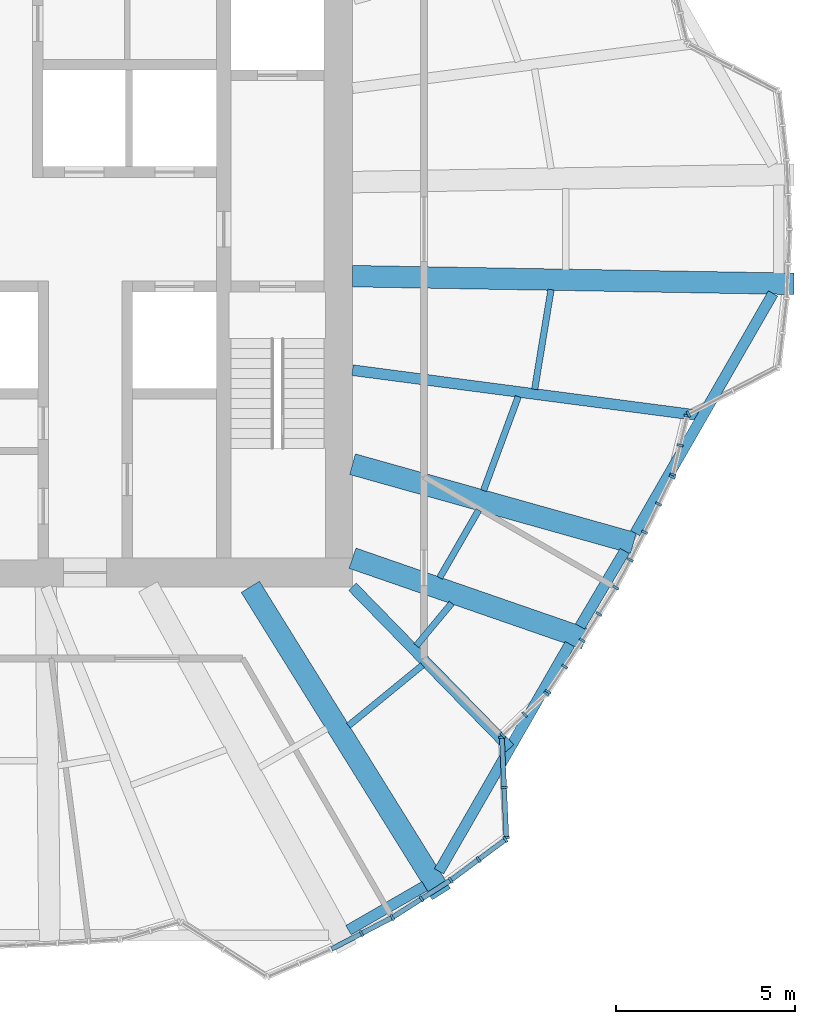
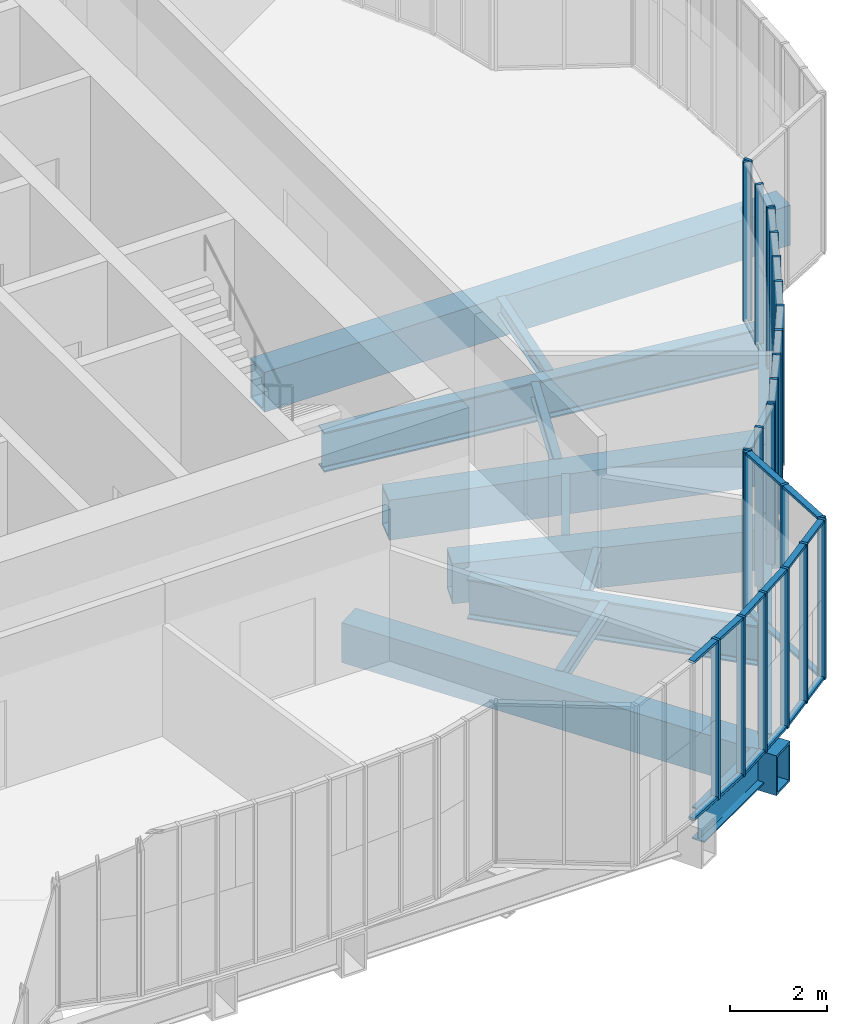
# One storey, part 4 of 24: 41 members, 15 beams, 11 elements without a shape of their own.
"""IFC4 building model written with IfcOpenShell, lengths in metres."""

from ifc_helpers import new_model, si_unit, direction, frame, origin, origin_2d, place, context, subcontext, project, spatial, rectangle, hollow_rectangle, i_section, extrude, material, material_profile, profile_set, type_object, element, aggregate, save


model = new_model("IFC4")

# Units and contexts
model_context = context("Model", 3, precision=1e-05, world=origin(), true_north=direction((0.0, 1.0)))
body_context = subcontext(model_context, "Body", "Model", "MODEL_VIEW")
ifc_project = project(units=[si_unit("LENGTHUNIT", "METRE"), si_unit("AREAUNIT", "SQUARE_METRE"), si_unit("VOLUMEUNIT", "CUBIC_METRE"), si_unit("PLANEANGLEUNIT", "RADIAN"), si_unit("MASSUNIT", "GRAM", prefix="KILO")], contexts=[model_context])

# Site, building, storey
site_placement = place(None, origin())
site = spatial("IfcSite", under=ifc_project, at=site_placement, CompositionType="ELEMENT")
building_placement = place(site_placement, origin())
building = spatial("IfcBuilding", under=site, at=building_placement, Name="Golbaran Civic Tower", CompositionType="ELEMENT")
storey_placement = place(building_placement, frame((0.0, 0.0, 25.0)))
storey = spatial("IfcBuildingStorey", under=building, at=storey_placement, Name="L05", CompositionType="ELEMENT", Elevation=25.0)

# Beams
ifc_material_1 = material(Name="Steel S355", Category="steel")
ifc_material_profile_1 = material_profile(ifc_material_1, i_section(OverallWidth=0.300048828125, OverallDepth=0.800048828125, WebThickness=0.017578125, FlangeThickness=0.032958984375, FilletRadius=0.030029296875, at=origin_2d()), Name="HEB 800")
ifc_profile_set_1 = profile_set([ifc_material_profile_1], Name="Steel S355")
beam_type_1 = type_object("IfcBeamType", Name="EDGE BEAM HEB 800", PredefinedType="BEAM", material=ifc_profile_set_1)
beam_1_placement = place(storey_placement, frame((9.886962890625, -19.598388671875, -0.60009765625), z_axis=(0.866183934036, 0.499725316967, 0.0), x_axis=(-0.499725316967, 0.866183934036, 0.0)))
element("IfcBeam", 1, at=beam_1_placement, inside=storey, type_object=beam_type_1, Name="Edge beam 296.17 L05", PredefinedType="BEAM", context=body_context, shape_type="SweptSolid", body=[
    extrude(i_section(OverallWidth=0.300048828125, OverallDepth=0.800048828125, WebThickness=0.017578125, FlangeThickness=0.032958984375, FilletRadius=0.030029296875, at=origin_2d()), origin(), (0.0, 0.0, 1.0), 2.46044921875),
])
beam_2_placement = place(storey_placement, frame((12.419189453125, -17.95361328125, -0.60009765625), z_axis=(0.498794630906, 0.866720206398, 0.0), x_axis=(-0.866720206398, 0.498794630906, 0.0)))
element("IfcBeam", 2, at=beam_2_placement, inside=storey, type_object=beam_type_1, Name="Edge beam 303.83 L05", PredefinedType="BEAM", context=body_context, shape_type="SweptSolid", body=[
    extrude(i_section(OverallWidth=0.300048828125, OverallDepth=0.800048828125, WebThickness=0.017578125, FlangeThickness=0.032958984375, FilletRadius=0.030029296875, at=origin_2d()), origin(), (0.0, 0.0, 1.0), 7.32958984375),
])
beam_3_placement = place(storey_placement, frame((16.36279296875, -11.10791015625, -0.60009765625), z_axis=(0.509256148857, 0.86061499804, 0.0), x_axis=(-0.86061499804, 0.509256148857, 0.0)))
element("IfcBeam", 3, at=beam_3_placement, inside=storey, type_object=beam_type_1, Name="Edge beam 325.74 L05", PredefinedType="BEAM", context=body_context, shape_type="SweptSolid", body=[
    extrude(i_section(OverallWidth=0.300048828125, OverallDepth=0.800048828125, WebThickness=0.017578125, FlangeThickness=0.032958984375, FilletRadius=0.030029296875, at=origin_2d()), origin(), (0.0, 0.0, 1.0), 2.45068359375),
])
beam_4_placement = place(storey_placement, frame((17.90234375, -8.4990234375, -0.60009765625), z_axis=(0.498561902583, 0.866854099196, 0.0), x_axis=(-0.866854099196, 0.498561902583, 0.0)))
element("IfcBeam", 4, at=beam_4_placement, inside=storey, type_object=beam_type_1, Name="Edge beam 334.26 L05", PredefinedType="BEAM", context=body_context, shape_type="SweptSolid", body=[
    extrude(i_section(OverallWidth=0.300048828125, OverallDepth=0.800048828125, WebThickness=0.017578125, FlangeThickness=0.032958984375, FilletRadius=0.030029296875, at=origin_2d()), origin(), (0.0, 0.0, 1.0), 7.730712890625),
])
ifc_material_profile_2 = material_profile(ifc_material_1, i_section(OverallWidth=0.179931640625, OverallDepth=0.39990234375, WebThickness=0.008544921875, FlangeThickness=0.013427734375, FilletRadius=0.02099609375, at=origin_2d()), Name="IPE 400")
ifc_profile_set_2 = profile_set([ifc_material_profile_2], Name="Steel S355")
beam_type_2 = type_object("IfcBeamType", Name="FLOOR INFILL BEAM IPE 400", PredefinedType="BEAM", material=ifc_profile_set_2)
beam_5_placement = place(storey_placement, frame((9.88818359375, -13.884033203125, -0.39990234375), z_axis=(0.773798586029, 0.633431723439, 0.0), x_axis=(-0.633431723439, 0.773798586029, 0.0)))
element("IfcBeam", 5, at=beam_5_placement, inside=storey, type_object=beam_type_2, Name="Infill beam 309.31 L05", PredefinedType="BEAM", context=body_context, shape_type="SweptSolid", body=[
    extrude(i_section(OverallWidth=0.179931640625, OverallDepth=0.39990234375, WebThickness=0.008544921875, FlangeThickness=0.013427734375, FilletRadius=0.02099609375, at=origin_2d()), origin(), (0.0, 0.0, 1.0), 2.67333984375),
])
beam_6_placement = place(storey_placement, frame((11.786865234375, -11.64453125, -0.39990234375), z_axis=(0.639203926169, 0.769037281782, 0.0), x_axis=(-0.769037281782, 0.639203926169, 0.0)))
element("IfcBeam", 6, at=beam_6_placement, inside=storey, type_object=beam_type_2, Name="Infill beam 320.27 L05", PredefinedType="BEAM", context=body_context, shape_type="SweptSolid", body=[
    extrude(i_section(OverallWidth=0.179931640625, OverallDepth=0.39990234375, WebThickness=0.008544921875, FlangeThickness=0.013427734375, FilletRadius=0.02099609375, at=origin_2d()), origin(), (0.0, 0.0, 1.0), 1.543701171875),
])
beam_7_placement = place(storey_placement, frame((12.435791015625, -9.74755859375, -0.39990234375), z_axis=(0.499980071345, 0.866036909293, 0.0), x_axis=(-0.866036909293, 0.499980071345, 0.0)))
element("IfcBeam", 7, at=beam_7_placement, inside=storey, type_object=beam_type_2, Name="Infill beam 330.00 L05", PredefinedType="BEAM", context=body_context, shape_type="SweptSolid", body=[
    extrude(i_section(OverallWidth=0.179931640625, OverallDepth=0.39990234375, WebThickness=0.008544921875, FlangeThickness=0.013427734375, FilletRadius=0.02099609375, at=origin_2d()), origin(), (0.0, 0.0, 1.0), 2.1875),
])
beam_8_placement = place(storey_placement, frame((13.66357421875, -7.30908203125, -0.39990234375), z_axis=(0.346383518623, 0.938092990074, 0.0), x_axis=(-0.938092990074, 0.346383518623, 0.0)))
element("IfcBeam", 8, at=beam_8_placement, inside=storey, type_object=beam_type_2, Name="Infill beam 339.73 L05", PredefinedType="BEAM", context=body_context, shape_type="SweptSolid", body=[
    extrude(i_section(OverallWidth=0.179931640625, OverallDepth=0.39990234375, WebThickness=0.008544921875, FlangeThickness=0.013427734375, FilletRadius=0.02099609375, at=origin_2d()), origin(), (0.0, 0.0, 1.0), 2.802490234375),
])
beam_9_placement = place(storey_placement, frame((15.09375, -4.47802734375, -0.39990234375), z_axis=(0.161707417606, 0.986838746245, 0.0), x_axis=(-0.986838746245, 0.161707417606, 0.0)))
element("IfcBeam", 9, at=beam_9_placement, inside=storey, type_object=beam_type_2, Name="Infill beam 350.69 L05", PredefinedType="BEAM", context=body_context, shape_type="SweptSolid", body=[
    extrude(i_section(OverallWidth=0.179931640625, OverallDepth=0.39990234375, WebThickness=0.008544921875, FlangeThickness=0.013427734375, FilletRadius=0.02099609375, at=origin_2d()), origin(), (0.0, 0.0, 1.0), 2.82470703125),
])

# Curtain wall, members
ifc_material_2 = material(Name="Aluminium and glass", Category="aluminium")
curtain_wall_type = type_object("IfcCurtainWallType", Name="INNER SKIN CURTAIN WALL", PredefinedType="NOTDEFINED", material=ifc_material_2)
curtain_wall_1_placement = place(storey_placement, origin())
curtain_wall_1 = element("IfcCurtainWall", 10, at=curtain_wall_1_placement, inside=storey, type_object=curtain_wall_type, Name="Inner skin L05 facet 60 CW1", ObjectType="INNER SKIN", PredefinedType="USERDEFINED")
ifc_material_3 = material(Name="Aluminium", Category="aluminium")
ifc_material_profile_3 = material_profile(ifc_material_3, rectangle(XDim=0.179931640625, YDim=0.06494140625, at=origin_2d()), Name="INNER SKIN CURTAIN WALL MULLION")
ifc_profile_set_3 = profile_set([ifc_material_profile_3], Name="Aluminium")
member_type_1 = type_object("IfcMemberType", Name="INNER SKIN CURTAIN WALL MULLION", PredefinedType="MULLION", material=ifc_profile_set_3)
member_1_placement = place(storey_placement, frame((10.250732421875, -19.69140625, 0.0), z_axis=(0.0, 0.0, 1.0), x_axis=(-0.461748613514, 0.887010833033, 0.0)))
member_1 = element("IfcMember", 11, at=member_1_placement, type_object=member_type_1, Name="CW1 mullion 2", PredefinedType="MULLION", context=body_context, shape_type="SweptSolid", body=[
    extrude(rectangle(XDim=0.179931640625, YDim=0.06494140625, at=origin_2d()), origin(), (0.0, 0.0, 1.0), 4.0),
])
member_2_placement = place(storey_placement, frame((11.110595703125, -19.243896484375, 0.0), z_axis=(0.0, 0.0, 1.0), x_axis=(-0.500000000045, 0.866025403758, 0.0)))
member_2 = element("IfcMember", 12, at=member_2_placement, type_object=member_type_1, Name="CW1 mullion 3", PredefinedType="MULLION", context=body_context, shape_type="SweptSolid", body=[
    extrude(rectangle(XDim=0.179931640625, YDim=0.06494140625, at=origin_2d()), origin(), (0.0, 0.0, 1.0), 4.0),
])

curtain_wall_2_placement = place(storey_placement, origin())
curtain_wall_2 = element("IfcCurtainWall", 13, at=curtain_wall_2_placement, inside=storey, type_object=curtain_wall_type, Name="Inner skin L05 facet 61 CW1", ObjectType="INNER SKIN", PredefinedType="USERDEFINED")
member_3_placement = place(storey_placement, frame((11.927978515625, -18.72314453125, 0.0), z_axis=(0.0, 0.0, 1.0), x_axis=(-0.537299608259, 0.843391445869, 0.0)))
member_3 = element("IfcMember", 14, at=member_3_placement, type_object=member_type_1, Name="CW1 mullion 2", PredefinedType="MULLION", context=body_context, shape_type="SweptSolid", body=[
    extrude(rectangle(XDim=0.179931640625, YDim=0.06494140625, at=origin_2d()), origin(), (0.0, 0.0, 1.0), 4.0),
])
member_4_placement = place(storey_placement, frame((12.745361328125, -18.202392578125, 0.0), z_axis=(0.0, 0.0, 1.0), x_axis=(-0.567019859976, 0.82370412066, 0.0)))
member_4 = element("IfcMember", 15, at=member_4_placement, type_object=member_type_1, Name="CW1 mullion 3", PredefinedType="MULLION", context=body_context, shape_type="SweptSolid", body=[
    extrude(rectangle(XDim=0.179931640625, YDim=0.06494140625, at=origin_2d()), origin(), (0.0, 0.0, 1.0), 4.0),
])

curtain_wall_3_placement = place(storey_placement, origin())
curtain_wall_3 = element("IfcCurtainWall", 16, at=curtain_wall_3_placement, inside=storey, type_object=curtain_wall_type, Name="Inner skin L05 facet 62 CW1", ObjectType="INNER SKIN", PredefinedType="USERDEFINED")
member_5_placement = place(storey_placement, frame((13.5244140625, -17.624267578125, 0.0), z_axis=(0.0, 0.0, 1.0), x_axis=(-0.596019495177, 0.802969962931, 0.0)))
member_5 = element("IfcMember", 17, at=member_5_placement, type_object=member_type_1, Name="CW1 mullion 2", PredefinedType="MULLION", context=body_context, shape_type="SweptSolid", body=[
    extrude(rectangle(XDim=0.179931640625, YDim=0.06494140625, at=origin_2d()), origin(), (0.0, 0.0, 1.0), 4.0),
])
member_6_placement = place(storey_placement, frame((14.277099609375, -17.0654296875, 0.0), z_axis=(0.0, 0.0, 1.0), x_axis=(-0.596019495177, 0.802969962931, 0.0)))
member_6 = element("IfcMember", 18, at=member_6_placement, type_object=member_type_1, Name="CW1 mullion 3", PredefinedType="MULLION", context=body_context, shape_type="SweptSolid", body=[
    extrude(rectangle(XDim=0.179931640625, YDim=0.06494140625, at=origin_2d()), origin(), (0.0, 0.0, 1.0), 4.0),
])

curtain_wall_4_placement = place(storey_placement, origin())
curtain_wall_4 = element("IfcCurtainWall", 19, at=curtain_wall_4_placement, inside=storey, type_object=curtain_wall_type, Name="Inner skin L05 facet 63 CW1", ObjectType="INNER SKIN", PredefinedType="USERDEFINED")
member_7_placement = place(storey_placement, frame((14.3017578125, -17.013671875, 0.0), z_axis=(0.0, 0.0, 1.0), x_axis=(-0.999008307341, -0.044524171678, 0.0)))
member_7 = element("IfcMember", 20, at=member_7_placement, type_object=member_type_1, Name="CW1 mullion 1", PredefinedType="MULLION", context=body_context, shape_type="SweptSolid", body=[
    extrude(rectangle(XDim=0.179931640625, YDim=0.06494140625, at=origin_2d()), origin(), (0.0, 0.0, 1.0), 4.0),
])
member_8_placement = place(storey_placement, frame((14.2392578125, -15.610595703125, 0.0), z_axis=(0.0, 0.0, 1.0), x_axis=(-0.999008307341, -0.044524171678, 0.0)))
member_8 = element("IfcMember", 21, at=member_8_placement, type_object=member_type_1, Name="CW1 mullion 2", PredefinedType="MULLION", context=body_context, shape_type="SweptSolid", body=[
    extrude(rectangle(XDim=0.179931640625, YDim=0.06494140625, at=origin_2d()), origin(), (0.0, 0.0, 1.0), 4.0),
])
member_9_placement = place(storey_placement, frame((14.1767578125, -14.207763671875, 0.0), z_axis=(0.0, 0.0, 1.0), x_axis=(-0.999008307341, -0.044524171678, 0.0)))
member_9 = element("IfcMember", 22, at=member_9_placement, type_object=member_type_1, Name="CW1 mullion 3", PredefinedType="MULLION", context=body_context, shape_type="SweptSolid", body=[
    extrude(rectangle(XDim=0.179931640625, YDim=0.06494140625, at=origin_2d()), origin(), (0.0, 0.0, 1.0), 4.0),
])

curtain_wall_5_placement = place(storey_placement, origin())
curtain_wall_5 = element("IfcCurtainWall", 23, at=curtain_wall_5_placement, inside=storey, type_object=curtain_wall_type, Name="Inner skin L05 facet 64 CW1", ObjectType="INNER SKIN", PredefinedType="USERDEFINED")
member_10_placement = place(storey_placement, frame((14.198974609375, -14.15283203125, 0.0), z_axis=(0.0, 0.0, 1.0), x_axis=(-0.689904492493, 0.723900401463, 0.0)))
member_10 = element("IfcMember", 24, at=member_10_placement, type_object=member_type_1, Name="CW1 mullion 1", PredefinedType="MULLION", context=body_context, shape_type="SweptSolid", body=[
    extrude(rectangle(XDim=0.179931640625, YDim=0.06494140625, at=origin_2d()), origin(), (0.0, 0.0, 1.0), 4.0),
])
member_11_placement = place(storey_placement, frame((14.811767578125, -13.56884765625, 0.0), z_axis=(0.0, 0.0, 1.0), x_axis=(-0.689904492493, 0.723900401463, 0.0)))
member_11 = element("IfcMember", 25, at=member_11_placement, type_object=member_type_1, Name="CW1 mullion 2", PredefinedType="MULLION", context=body_context, shape_type="SweptSolid", body=[
    extrude(rectangle(XDim=0.179931640625, YDim=0.06494140625, at=origin_2d()), origin(), (0.0, 0.0, 1.0), 4.0),
])
member_12_placement = place(storey_placement, frame((15.424560546875, -12.98486328125, 0.0), z_axis=(0.0, 0.0, 1.0), x_axis=(-0.689904492493, 0.723900401463, 0.0)))
member_12 = element("IfcMember", 26, at=member_12_placement, type_object=member_type_1, Name="CW1 mullion 3", PredefinedType="MULLION", context=body_context, shape_type="SweptSolid", body=[
    extrude(rectangle(XDim=0.179931640625, YDim=0.06494140625, at=origin_2d()), origin(), (0.0, 0.0, 1.0), 4.0),
])
aggregate(curtain_wall_5, [member_10, member_11, member_12])

curtain_wall_6_placement = place(storey_placement, origin())
curtain_wall_6 = element("IfcCurtainWall", 27, at=curtain_wall_6_placement, inside=storey, type_object=curtain_wall_type, Name="Inner skin L05 facet 65 CW1", ObjectType="INNER SKIN", PredefinedType="USERDEFINED")
member_13_placement = place(storey_placement, frame((15.466064453125, -12.935302734375, 0.0), z_axis=(0.0, 0.0, 1.0), x_axis=(-0.832703385336, 0.553719307998, 0.0)))
member_13 = element("IfcMember", 28, at=member_13_placement, type_object=member_type_1, Name="CW1 mullion 1", PredefinedType="MULLION", context=body_context, shape_type="SweptSolid", body=[
    extrude(rectangle(XDim=0.179931640625, YDim=0.06494140625, at=origin_2d()), origin(), (0.0, 0.0, 1.0), 4.0),
])
member_14_placement = place(storey_placement, frame((15.934814453125, -12.23046875, 0.0), z_axis=(0.0, 0.0, 1.0), x_axis=(-0.832703385336, 0.553719307998, 0.0)))
member_14 = element("IfcMember", 29, at=member_14_placement, type_object=member_type_1, Name="CW1 mullion 2", PredefinedType="MULLION", context=body_context, shape_type="SweptSolid", body=[
    extrude(rectangle(XDim=0.179931640625, YDim=0.06494140625, at=origin_2d()), origin(), (0.0, 0.0, 1.0), 4.0),
])
member_15_placement = place(storey_placement, frame((16.421630859375, -11.49853515625, 0.0), z_axis=(0.0, 0.0, 1.0), x_axis=(-0.838087628164, 0.545535633592, 0.0)))
member_15 = element("IfcMember", 30, at=member_15_placement, type_object=member_type_1, Name="CW1 mullion 3", PredefinedType="MULLION", context=body_context, shape_type="SweptSolid", body=[
    extrude(rectangle(XDim=0.179931640625, YDim=0.06494140625, at=origin_2d()), origin(), (0.0, 0.0, 1.0), 4.0),
])
aggregate(curtain_wall_6, [member_13, member_14, member_15])

curtain_wall_7_placement = place(storey_placement, origin())
curtain_wall_7 = element("IfcCurtainWall", 31, at=curtain_wall_7_placement, inside=storey, type_object=curtain_wall_type, Name="Inner skin L05 facet 66 CW1", ObjectType="INNER SKIN", PredefinedType="USERDEFINED")
member_16_placement = place(storey_placement, frame((16.891357421875, -10.760986328125, 0.0), z_axis=(0.0, 0.0, 1.0), x_axis=(-0.843391445841, 0.537299608303, 0.0)))
member_16 = element("IfcMember", 32, at=member_16_placement, type_object=member_type_1, Name="CW1 mullion 2", PredefinedType="MULLION", context=body_context, shape_type="SweptSolid", body=[
    extrude(rectangle(XDim=0.179931640625, YDim=0.06494140625, at=origin_2d()), origin(), (0.0, 0.0, 1.0), 4.0),
])
member_17_placement = place(storey_placement, frame((17.361328125, -10.0234375, 0.0), z_axis=(0.0, 0.0, 1.0), x_axis=(-0.866025403837, 0.499999999909, 0.0)))
member_17 = element("IfcMember", 33, at=member_17_placement, type_object=member_type_1, Name="CW1 mullion 3", PredefinedType="MULLION", context=body_context, shape_type="SweptSolid", body=[
    extrude(rectangle(XDim=0.179931640625, YDim=0.06494140625, at=origin_2d()), origin(), (0.0, 0.0, 1.0), 4.0),
])
aggregate(curtain_wall_7, [member_16, member_17])

curtain_wall_8_placement = place(storey_placement, origin())
curtain_wall_8 = element("IfcCurtainWall", 34, at=curtain_wall_8_placement, inside=storey, type_object=curtain_wall_type, Name="Inner skin L05 facet 67 CW1", ObjectType="INNER SKIN", PredefinedType="USERDEFINED")
member_18_placement = place(storey_placement, frame((17.764892578125, -9.247802734375, 0.0), z_axis=(0.0, 0.0, 1.0), x_axis=(-0.887010833202, 0.461748613189, 0.0)))
member_18 = element("IfcMember", 35, at=member_18_placement, type_object=member_type_1, Name="CW1 mullion 2", PredefinedType="MULLION", context=body_context, shape_type="SweptSolid", body=[
    extrude(rectangle(XDim=0.179931640625, YDim=0.06494140625, at=origin_2d()), origin(), (0.0, 0.0, 1.0), 4.0),
])
member_19_placement = place(storey_placement, frame((18.168701171875, -8.47216796875, 0.0), z_axis=(0.0, 0.0, 1.0), x_axis=(-0.89149153149, 0.453037359698, 0.0)))
member_19 = element("IfcMember", 36, at=member_19_placement, type_object=member_type_1, Name="CW1 mullion 3", PredefinedType="MULLION", context=body_context, shape_type="SweptSolid", body=[
    extrude(rectangle(XDim=0.179931640625, YDim=0.06494140625, at=origin_2d()), origin(), (0.0, 0.0, 1.0), 4.0),
])
aggregate(curtain_wall_8, [member_18, member_19])

curtain_wall_9_placement = place(storey_placement, origin())
curtain_wall_9 = element("IfcCurtainWall", 37, at=curtain_wall_9_placement, inside=storey, type_object=curtain_wall_type, Name="Inner skin L05 facet 68 CW1", ObjectType="INNER SKIN", PredefinedType="USERDEFINED")
member_20_placement = place(storey_placement, frame((18.559326171875, -7.684814453125, 0.0), z_axis=(0.0, 0.0, 1.0), x_axis=(-0.895886679922, 0.444282631597, 0.0)))
member_20 = element("IfcMember", 38, at=member_20_placement, type_object=member_type_1, Name="CW1 mullion 2", PredefinedType="MULLION", context=body_context, shape_type="SweptSolid", body=[
    extrude(rectangle(XDim=0.179931640625, YDim=0.06494140625, at=origin_2d()), origin(), (0.0, 0.0, 1.0), 4.0),
])
member_21_placement = place(storey_placement, frame((18.935302734375, -6.92626953125, 0.0), z_axis=(0.0, 0.0, 1.0), x_axis=(-0.895886679922, 0.444282631597, 0.0)))
member_21 = element("IfcMember", 39, at=member_21_placement, type_object=member_type_1, Name="CW1 mullion 3", PredefinedType="MULLION", context=body_context, shape_type="SweptSolid", body=[
    extrude(rectangle(XDim=0.179931640625, YDim=0.06494140625, at=origin_2d()), origin(), (0.0, 0.0, 1.0), 4.0),
])
aggregate(curtain_wall_9, [member_20, member_21])

curtain_wall_10_placement = place(storey_placement, origin())
curtain_wall_10 = element("IfcCurtainWall", 40, at=curtain_wall_10_placement, inside=storey, type_object=curtain_wall_type, Name="Inner skin L05 facet 69 CW1", ObjectType="INNER SKIN", PredefinedType="USERDEFINED")
member_22_placement = place(storey_placement, frame((18.95751953125, -6.865478515625, 0.0), z_axis=(0.0, 0.0, 1.0), x_axis=(-0.9718683836, 0.235524616461, 0.0)))
member_22 = element("IfcMember", 41, at=member_22_placement, type_object=member_type_1, Name="CW1 mullion 1", PredefinedType="MULLION", context=body_context, shape_type="SweptSolid", body=[
    extrude(rectangle(XDim=0.179931640625, YDim=0.06494140625, at=origin_2d()), origin(), (0.0, 0.0, 1.0), 4.0),
])
member_23_placement = place(storey_placement, frame((19.156982421875, -6.04296875, 0.0), z_axis=(0.0, 0.0, 1.0), x_axis=(-0.9718683836, 0.235524616461, 0.0)))
member_23 = element("IfcMember", 42, at=member_23_placement, type_object=member_type_1, Name="CW1 mullion 2", PredefinedType="MULLION", context=body_context, shape_type="SweptSolid", body=[
    extrude(rectangle(XDim=0.179931640625, YDim=0.06494140625, at=origin_2d()), origin(), (0.0, 0.0, 1.0), 4.0),
])
member_24_placement = place(storey_placement, frame((19.356201171875, -5.22021484375, 0.0), z_axis=(0.0, 0.0, 1.0), x_axis=(-0.9718683836, 0.235524616461, 0.0)))
member_24 = element("IfcMember", 43, at=member_24_placement, type_object=member_type_1, Name="CW1 mullion 3", PredefinedType="MULLION", context=body_context, shape_type="SweptSolid", body=[
    extrude(rectangle(XDim=0.179931640625, YDim=0.06494140625, at=origin_2d()), origin(), (0.0, 0.0, 1.0), 4.0),
])
aggregate(curtain_wall_10, [member_22, member_23, member_24])

# Curtain wall, member
curtain_wall_11_placement = place(storey_placement, origin())
curtain_wall_11 = element("IfcCurtainWall", 44, at=curtain_wall_11_placement, inside=storey, type_object=curtain_wall_type, Name="Inner skin L05 facet 70 CW1", ObjectType="INNER SKIN", PredefinedType="USERDEFINED")
member_25_placement = place(storey_placement, frame((19.392822265625, -5.173583984375, 0.0), z_axis=(0.0, 0.0, 1.0), x_axis=(-0.460945090256, 0.887428658411, 0.0)))
member_25 = element("IfcMember", 45, at=member_25_placement, type_object=member_type_1, Name="CW1 mullion 1", PredefinedType="MULLION", context=body_context, shape_type="SweptSolid", body=[
    extrude(rectangle(XDim=0.179931640625, YDim=0.06494140625, at=origin_2d()), origin(), (0.0, 0.0, 1.0), 4.0),
])
aggregate(curtain_wall_11, [member_25])

# Member
ifc_material_profile_4 = material_profile(ifc_material_3, rectangle(XDim=0.139892578125, YDim=0.06494140625, at=origin_2d()), Name="INNER SKIN CURTAIN WALL TRANSOM")
ifc_profile_set_4 = profile_set([ifc_material_profile_4], Name="Aluminium")
member_type_2 = type_object("IfcMemberType", Name="INNER SKIN CURTAIN WALL TRANSOM", PredefinedType="USERDEFINED", material=ifc_profile_set_4)
member_26_placement = place(storey_placement, frame((9.419921875, -20.1240234375, 0.032470703125), z_axis=(0.887017774073, 0.461735279655, 0.0), x_axis=(-0.461735279655, 0.887017774073, 0.0)))
member_26 = element("IfcMember", 46, at=member_26_placement, type_object=member_type_2, Name="CW1 transom 1.1", ObjectType="TRANSOM", PredefinedType="USERDEFINED", context=body_context, shape_type="SweptSolid", body=[
    extrude(rectangle(XDim=0.139892578125, YDim=0.06494140625, at=origin_2d()), origin(), (0.0, 0.0, 1.0), 0.904052734375),
])

member_27_placement = place(storey_placement, frame((9.419921875, -20.1240234375, 3.967529296875), z_axis=(0.887017774073, 0.461735279655, 0.0), x_axis=(-0.461735279655, 0.887017774073, 0.0)))
member_27 = element("IfcMember", 47, at=member_27_placement, type_object=member_type_2, Name="CW1 transom 1.2", ObjectType="TRANSOM", PredefinedType="USERDEFINED", context=body_context, shape_type="SweptSolid", body=[
    extrude(rectangle(XDim=0.139892578125, YDim=0.06494140625, at=origin_2d()), origin(), (0.0, 0.0, 1.0), 0.904052734375),
])

member_28_placement = place(storey_placement, frame((10.279541015625, -19.676513671875, 0.032470703125), z_axis=(0.887075321652, 0.461624710902, 0.0), x_axis=(-0.461624710902, 0.887075321652, 0.0)))
member_28 = element("IfcMember", 48, at=member_28_placement, type_object=member_type_2, Name="CW1 transom 2.1", ObjectType="TRANSOM", PredefinedType="USERDEFINED", context=body_context, shape_type="SweptSolid", body=[
    extrude(rectangle(XDim=0.139892578125, YDim=0.06494140625, at=origin_2d()), origin(), (0.0, 0.0, 1.0), 0.904296875),
])

member_29_placement = place(storey_placement, frame((10.279541015625, -19.676513671875, 3.967529296875), z_axis=(0.887075321652, 0.461624710902, 0.0), x_axis=(-0.461624710902, 0.887075321652, 0.0)))
member_29 = element("IfcMember", 49, at=member_29_placement, type_object=member_type_2, Name="CW1 transom 2.2", ObjectType="TRANSOM", PredefinedType="USERDEFINED", context=body_context, shape_type="SweptSolid", body=[
    extrude(rectangle(XDim=0.139892578125, YDim=0.06494140625, at=origin_2d()), origin(), (0.0, 0.0, 1.0), 0.904296875),
])

aggregate(curtain_wall_1, [member_1, member_2, member_26, member_27, member_28, member_29])

member_30_placement = place(storey_placement, frame((11.137939453125, -19.2265625, 0.032470703125), z_axis=(0.843416830276, 0.537259760643, 0.0), x_axis=(-0.537259760643, 0.843416830276, 0.0)))
member_30 = element("IfcMember", 50, at=member_30_placement, type_object=member_type_2, Name="CW1 transom 1.1", ObjectType="TRANSOM", PredefinedType="USERDEFINED", context=body_context, shape_type="SweptSolid", body=[
    extrude(rectangle(XDim=0.139892578125, YDim=0.06494140625, at=origin_2d()), origin(), (0.0, 0.0, 1.0), 0.904296875),
])

member_31_placement = place(storey_placement, frame((11.137939453125, -19.2265625, 3.967529296875), z_axis=(0.843416830276, 0.537259760643, 0.0), x_axis=(-0.537259760643, 0.843416830276, 0.0)))
member_31 = element("IfcMember", 51, at=member_31_placement, type_object=member_type_2, Name="CW1 transom 1.2", ObjectType="TRANSOM", PredefinedType="USERDEFINED", context=body_context, shape_type="SweptSolid", body=[
    extrude(rectangle(XDim=0.139892578125, YDim=0.06494140625, at=origin_2d()), origin(), (0.0, 0.0, 1.0), 0.904296875),
])

member_32_placement = place(storey_placement, frame((11.955322265625, -18.705810546875, 0.032470703125), z_axis=(0.843294489166, 0.537451769504, 0.0), x_axis=(-0.537451769504, 0.843294489166, 0.0)))
member_32 = element("IfcMember", 52, at=member_32_placement, type_object=member_type_2, Name="CW1 transom 2.1", ObjectType="TRANSOM", PredefinedType="USERDEFINED", context=body_context, shape_type="SweptSolid", body=[
    extrude(rectangle(XDim=0.139892578125, YDim=0.06494140625, at=origin_2d()), origin(), (0.0, 0.0, 1.0), 0.904541015625),
])

member_33_placement = place(storey_placement, frame((11.955322265625, -18.705810546875, 3.967529296875), z_axis=(0.843294489166, 0.537451769504, 0.0), x_axis=(-0.537451769504, 0.843294489166, 0.0)))
member_33 = element("IfcMember", 53, at=member_33_placement, type_object=member_type_2, Name="CW1 transom 2.2", ObjectType="TRANSOM", PredefinedType="USERDEFINED", context=body_context, shape_type="SweptSolid", body=[
    extrude(rectangle(XDim=0.139892578125, YDim=0.06494140625, at=origin_2d()), origin(), (0.0, 0.0, 1.0), 0.904541015625),
])

aggregate(curtain_wall_2, [member_3, member_4, member_30, member_31, member_32, member_33])

member_34_placement = place(storey_placement, frame((12.771484375, -18.18310546875, 0.032470703125), z_axis=(0.802935627564, 0.59606574972, 0.0), x_axis=(-0.59606574972, 0.802935627564, 0.0)))
member_34 = element("IfcMember", 54, at=member_34_placement, type_object=member_type_2, Name="CW1 transom 1.1", ObjectType="TRANSOM", PredefinedType="USERDEFINED", context=body_context, shape_type="SweptSolid", body=[
    extrude(rectangle(XDim=0.139892578125, YDim=0.06494140625, at=origin_2d()), origin(), (0.0, 0.0, 1.0), 0.9052734375),
])

member_35_placement = place(storey_placement, frame((12.771484375, -18.18310546875, 3.967529296875), z_axis=(0.802935627564, 0.59606574972, 0.0), x_axis=(-0.59606574972, 0.802935627564, 0.0)))
member_35 = element("IfcMember", 55, at=member_35_placement, type_object=member_type_2, Name="CW1 transom 1.2", ObjectType="TRANSOM", PredefinedType="USERDEFINED", context=body_context, shape_type="SweptSolid", body=[
    extrude(rectangle(XDim=0.139892578125, YDim=0.06494140625, at=origin_2d()), origin(), (0.0, 0.0, 1.0), 0.9052734375),
])

member_36_placement = place(storey_placement, frame((13.550537109375, -17.604736328125, 0.032470703125), z_axis=(0.803011640131, 0.595963342676, 0.0), x_axis=(-0.595963342676, 0.803011640131, 0.0)))
member_36 = element("IfcMember", 56, at=member_36_placement, type_object=member_type_2, Name="CW1 transom 2.1", ObjectType="TRANSOM", PredefinedType="USERDEFINED", context=body_context, shape_type="SweptSolid", body=[
    extrude(rectangle(XDim=0.139892578125, YDim=0.06494140625, at=origin_2d()), origin(), (0.0, 0.0, 1.0), 0.87255859375),
])

member_37_placement = place(storey_placement, frame((13.550537109375, -17.604736328125, 3.967529296875), z_axis=(0.803011640131, 0.595963342676, 0.0), x_axis=(-0.595963342676, 0.803011640131, 0.0)))
member_37 = element("IfcMember", 57, at=member_37_placement, type_object=member_type_2, Name="CW1 transom 2.2", ObjectType="TRANSOM", PredefinedType="USERDEFINED", context=body_context, shape_type="SweptSolid", body=[
    extrude(rectangle(XDim=0.139892578125, YDim=0.06494140625, at=origin_2d()), origin(), (0.0, 0.0, 1.0), 0.87255859375),
])

aggregate(curtain_wall_3, [member_5, member_6, member_34, member_35, member_36, member_37])

member_38_placement = place(storey_placement, frame((14.300537109375, -16.981201171875, 0.032470703125), z_axis=(-0.044655282167, 0.99900245534, 0.0), x_axis=(-0.99900245534, -0.044655282167, 0.0)))
member_38 = element("IfcMember", 58, at=member_38_placement, type_object=member_type_2, Name="CW1 transom 1.1", ObjectType="TRANSOM", PredefinedType="USERDEFINED", context=body_context, shape_type="SweptSolid", body=[
    extrude(rectangle(XDim=0.139892578125, YDim=0.06494140625, at=origin_2d()), origin(), (0.0, 0.0, 1.0), 1.33935546875),
])

member_39_placement = place(storey_placement, frame((14.300537109375, -16.981201171875, 3.967529296875), z_axis=(-0.044655282167, 0.99900245534, 0.0), x_axis=(-0.99900245534, -0.044655282167, 0.0)))
member_39 = element("IfcMember", 59, at=member_39_placement, type_object=member_type_2, Name="CW1 transom 1.2", ObjectType="TRANSOM", PredefinedType="USERDEFINED", context=body_context, shape_type="SweptSolid", body=[
    extrude(rectangle(XDim=0.139892578125, YDim=0.06494140625, at=origin_2d()), origin(), (0.0, 0.0, 1.0), 1.33935546875),
])

member_40_placement = place(storey_placement, frame((14.23779296875, -15.578125, 0.032470703125), z_axis=(-0.044481476472, 0.999010209283, 0.0), x_axis=(-0.999010209283, -0.044481476472, 0.0)))
member_40 = element("IfcMember", 60, at=member_40_placement, type_object=member_type_2, Name="CW1 transom 2.1", ObjectType="TRANSOM", PredefinedType="USERDEFINED", context=body_context, shape_type="SweptSolid", body=[
    extrude(rectangle(XDim=0.139892578125, YDim=0.06494140625, at=origin_2d()), origin(), (0.0, 0.0, 1.0), 1.339111328125),
])

member_41_placement = place(storey_placement, frame((14.23779296875, -15.578125, 3.967529296875), z_axis=(-0.044481476472, 0.999010209283, 0.0), x_axis=(-0.999010209283, -0.044481476472, 0.0)))
member_41 = element("IfcMember", 61, at=member_41_placement, type_object=member_type_2, Name="CW1 transom 2.2", ObjectType="TRANSOM", PredefinedType="USERDEFINED", context=body_context, shape_type="SweptSolid", body=[
    extrude(rectangle(XDim=0.139892578125, YDim=0.06494140625, at=origin_2d()), origin(), (0.0, 0.0, 1.0), 1.339111328125),
])

aggregate(curtain_wall_4, [member_7, member_8, member_9, member_38, member_39, member_40, member_41])

# Beams
ifc_material_profile_5 = material_profile(ifc_material_1, hollow_rectangle(XDim=0.60009765625, YDim=1.0, WallThickness=0.06005859375, at=origin_2d()), Name="BOX 1000x600x60")
ifc_profile_set_5 = profile_set([ifc_material_profile_5], Name="Steel S355")
beam_type_3 = type_object("IfcBeamType", Name="RADIAL FLOOR BEAM BOX 1000x600x60", PredefinedType="BEAM", material=ifc_profile_set_5)
beam_10_placement = place(storey_placement, frame((7.142822265625, -10.0, -0.7099609375), z_axis=(0.528145317025, -0.849154004939, 0.0), x_axis=(0.849154004939, 0.528145317025, 0.0)))
element("IfcBeam", 62, at=beam_10_placement, inside=storey, type_object=beam_type_3, Name="Radial beam 303.83 L05", PredefinedType="BEAM", context=body_context, shape_type="SweptSolid", body=[
    extrude(hollow_rectangle(XDim=0.60009765625, YDim=1.0, WallThickness=0.06005859375, at=origin_2d()), origin(), (0.0, 0.0, 1.0), 10.117431640625),
])
beam_11_placement = place(storey_placement, frame((10.0, -9.199951171875, -0.7099609375), z_axis=(0.944904665861, -0.327345646733, 0.0), x_axis=(0.327345646733, 0.944904665861, 0.0)))
element("IfcBeam", 63, at=beam_11_placement, inside=storey, type_object=beam_type_3, Name="Radial beam 325.74 L05", PredefinedType="BEAM", context=body_context, shape_type="SweptSolid", body=[
    extrude(hollow_rectangle(XDim=0.60009765625, YDim=1.0, WallThickness=0.06005859375, at=origin_2d()), origin(), (0.0, 0.0, 1.0), 6.8837890625),
])
beam_12_placement = place(storey_placement, frame((10.0, -6.571533203125, -0.7099609375), z_axis=(0.962787297075, -0.270260283043, 0.0), x_axis=(0.270260283043, 0.962787297075, 0.0)))
element("IfcBeam", 64, at=beam_12_placement, inside=storey, type_object=beam_type_3, Name="Radial beam 334.26 L05", PredefinedType="BEAM", context=body_context, shape_type="SweptSolid", body=[
    extrude(hollow_rectangle(XDim=0.60009765625, YDim=1.0, WallThickness=0.06005859375, at=origin_2d()), origin(), (0.0, 0.0, 1.0), 8.1591796875),
])
beam_13_placement = place(storey_placement, frame((10.0, -1.314208984375, -0.7099609375), z_axis=(0.999850281855, -0.017303579838, 0.0), x_axis=(0.017303579838, 0.999850281855, 0.0)))
element("IfcBeam", 65, at=beam_13_placement, inside=storey, type_object=beam_type_3, Name="Radial beam 356.17 L05", PredefinedType="BEAM", context=body_context, shape_type="SweptSolid", body=[
    extrude(hollow_rectangle(XDim=0.60009765625, YDim=1.0, WallThickness=0.06005859375, at=origin_2d()), origin(), (0.0, 0.0, 1.0), 12.345703125),
])
ifc_material_profile_6 = material_profile(ifc_material_1, i_section(OverallWidth=0.300048828125, OverallDepth=1.0, WebThickness=0.01904296875, FlangeThickness=0.035888671875, FilletRadius=0.030029296875, at=origin_2d()), Name="HEB 1000")
ifc_profile_set_6 = profile_set([ifc_material_profile_6], Name="Steel S355")
beam_type_4 = type_object("IfcBeamType", Name="SECONDARY FLOOR BEAM HEB 1000", PredefinedType="BEAM", material=ifc_profile_set_6)
beam_14_placement = place(storey_placement, frame((10.0, -10.0, -0.7099609375), z_axis=(0.698511688527, -0.715598645185, 0.0), x_axis=(0.715598645185, 0.698511688527, 0.0)))
element("IfcBeam", 66, at=beam_14_placement, inside=storey, type_object=beam_type_4, Name="Secondary beam 314.79 L05", PredefinedType="BEAM", context=body_context, shape_type="SweptSolid", body=[
    extrude(i_section(OverallWidth=0.300048828125, OverallDepth=1.0, WebThickness=0.01904296875, FlangeThickness=0.035888671875, FilletRadius=0.030029296875, at=origin_2d()), origin(), (0.0, 0.0, 1.0), 6.301025390625),
])
beam_15_placement = place(storey_placement, frame((10.0, -3.94287109375, -0.7099609375), z_axis=(0.991554278086, -0.129692380691, 0.0), x_axis=(0.129692380691, 0.991554278086, 0.0)))
element("IfcBeam", 67, at=beam_15_placement, inside=storey, type_object=beam_type_4, Name="Secondary beam 345.21 L05", PredefinedType="BEAM", context=body_context, shape_type="SweptSolid", body=[
    extrude(i_section(OverallWidth=0.300048828125, OverallDepth=1.0, WebThickness=0.01904296875, FlangeThickness=0.035888671875, FilletRadius=0.030029296875, at=origin_2d()), origin(), (0.0, 0.0, 1.0), 9.86962890625),
])

save(model, "model.ifc")
